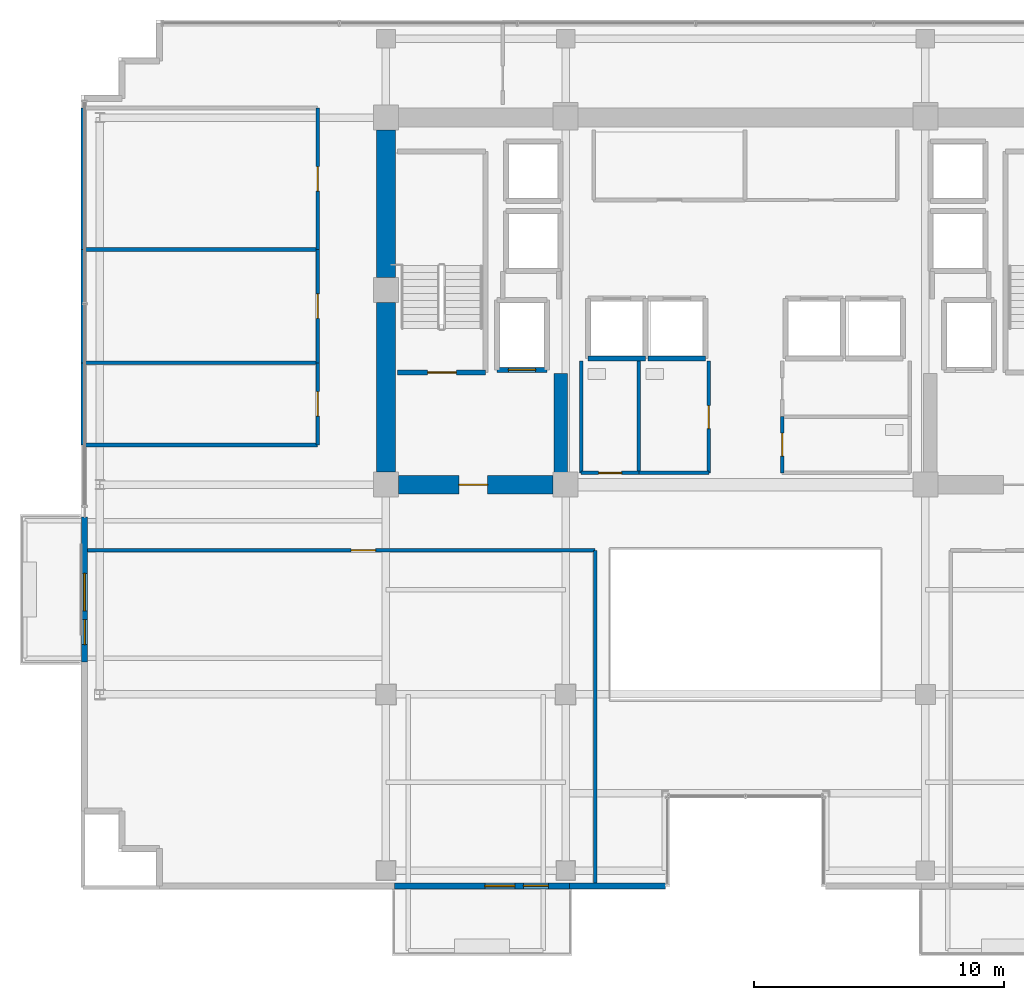
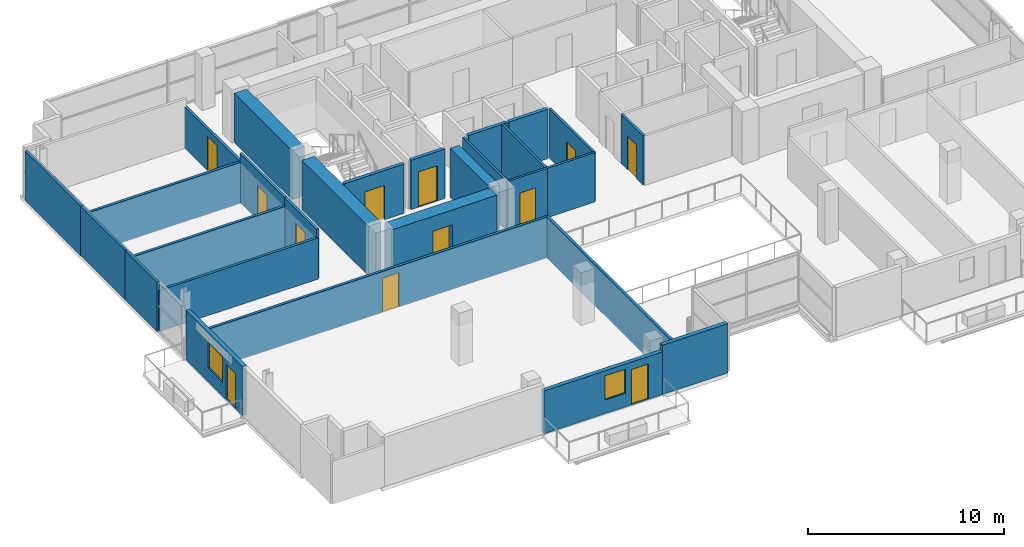
# One storey, part 14 of 21: 28 walls, 12 doors, 2 windows, 14 openings.
"""IFC4 building model written with IfcOpenShell, lengths in metres."""

from ifc_helpers import new_model, si_unit, direction, frame, frame_2d, origin, place, context, subcontext, project, spatial, rectangle, extrude, source, transform, mapped, material, layer, layer_set, type_object, element, fill, save


model = new_model("IFC4")

# Units and contexts
model_context = context("Model", 3, precision=1e-05, world=origin(), true_north=direction((0.0, 1.0)))
body_context = subcontext(model_context, "Body", "Model", "MODEL_VIEW")
ifc_project = project(units=[si_unit("LENGTHUNIT", "METRE"), si_unit("AREAUNIT", "SQUARE_METRE"), si_unit("VOLUMEUNIT", "CUBIC_METRE"), si_unit("PLANEANGLEUNIT", "RADIAN"), si_unit("MASSUNIT", "GRAM", prefix="KILO")], contexts=[model_context])

# Site, building, storey
site_placement = place(None, origin())
site = spatial("IfcSite", under=ifc_project, at=site_placement, CompositionType="ELEMENT")
building_placement = place(site_placement, origin())
building = spatial("IfcBuilding", under=site, at=building_placement, Name="Zarnakvel Exchange Tower", CompositionType="ELEMENT")
storey_placement = place(building_placement, frame((0.0, 0.0, 152.800048828125)))
storey = spatial("IfcBuildingStorey", under=building, at=storey_placement, Name="L42", CompositionType="ELEMENT", Elevation=152.800048828125)

# Walls
ifc_material_1 = material(Name="Concrete C60/75", Category="concrete")
ifc_layer_1 = layer(ifc_material_1, 0.75)
ifc_layer_set_1 = layer_set([ifc_layer_1], Name="Concrete C60/75")
wall_type_1 = type_object("IfcWallType", Name="CW-C3", PredefinedType="SHEAR", material=ifc_layer_set_1)
wall_1_placement = place(storey_placement, frame((-14.39990234375, -0.699951171875, 0.0), z_axis=(0.0, 0.0, 1.0), x_axis=(0.0, 1.0, 0.0)))
element("IfcWall", 1, at=wall_1_placement, inside=storey, type_object=wall_type_1, Name="L42 Rear Core Shear Wall W1 (CW-C3)", PredefinedType="SHEAR", context=body_context, shape_type="SweptSolid", body=[
    extrude(rectangle(XDim=6.800048828125, YDim=0.75, at=frame_2d((3.39990234375, 0.0))), origin(), (0.0, 0.0, 1.0), 3.074951171875),
])
wall_2_placement = place(storey_placement, frame((-14.39990234375, 7.10009765625, 0.0), z_axis=(0.0, 0.0, 1.0), x_axis=(0.0, 1.0, 0.0)))
element("IfcWall", 2, at=wall_2_placement, inside=storey, type_object=wall_type_1, Name="L42 Rear Core Shear Wall W2 (CW-C3)", PredefinedType="SHEAR", context=body_context, shape_type="SweptSolid", body=[
    extrude(rectangle(XDim=5.89990234375, YDim=0.75, at=frame_2d((2.949951171875, 0.0))), origin(), (0.0, 0.0, 1.0), 3.074951171875),
])

# Wall, opening, door
wall_3_placement = place(storey_placement, frame((-7.699951171875, -1.199951171875, 0.0), z_axis=(0.0, 0.0, 1.0), x_axis=(-1.0, 0.0, 0.0)))
wall_3 = element("IfcWall", 3, at=wall_3_placement, inside=storey, type_object=wall_type_1, Name="L42 Rear Core Shear Wall SW (CW-C3)", PredefinedType="SHEAR", context=body_context, shape_type="SweptSolid", body=[
    extrude(rectangle(XDim=6.199951171875, YDim=0.75, at=frame_2d((3.10009765625, 0.0))), origin(), (0.0, 0.0, 1.0), 3.074951171875),
])
opening_1_placement = place(wall_3_placement, frame((2.625, 0.0, 0.0)))
opening_1 = element("IfcOpeningElement", 4, at=opening_1_placement, cuts=wall_3, Name="Opening D-L42-03", PredefinedType="OPENING", context=body_context, shape_type="SweptSolid", body=[
    extrude(rectangle(XDim=1.14990234375, YDim=2.14990234375, at=frame_2d((0.574951171875, 1.074951171875))), frame((0.0, 0.385009765625, 0.0), z_axis=(0.0, -1.0, 0.0), x_axis=(1.0, 0.0, 0.0)), (0.0, 0.0, 1.0), 0.77001953125),
])
ifc_material_2 = material(Name="Painted Galvanised Steel S355", Category="steel")
door_type_1 = type_object("IfcDoorType", Name="DT-04", OperationType="NOTDEFINED", PredefinedType="DOOR", material=ifc_material_2)
shared_shape_1 = source(origin(), body_context, "Body", "SweptSolid", [
    extrude(rectangle(XDim=1.14990234375, YDim=2.14990234375, at=frame_2d((0.574951171875, 1.074951171875))), frame((0.0, 0.02490234375, 0.0), z_axis=(0.0, -1.0, 0.0), x_axis=(1.0, 0.0, 0.0)), (0.0, 0.0, 1.0), 0.050048828125),
])
door_1_placement = place(opening_1_placement, origin())
door_1 = element("IfcDoor", 5, at=door_1_placement, inside=storey, type_object=door_type_1, Name="L42 Firefighting Lobby West Door D-L42-03", OperationType="SINGLE_SWING_LEFT", OverallHeight=2.14990234375, OverallWidth=1.14990234375, PredefinedType="DOOR", context=body_context, shape_type="MappedRepresentation", body=[
    mapped(shared_shape_1, transform((0.0, 0.0, 0.0), x_axis=(1.0, 0.0, 0.0), y_axis=(0.0, 1.0, 0.0), z_axis=(0.0, 0.0, 1.0), scale=1.0)),
])
fill(opening_1, door_1)

# Wall
ifc_layer_2 = layer(ifc_material_1, 0.550048828125)
ifc_layer_set_2 = layer_set([ifc_layer_2], Name="Concrete C60/75")
wall_type_2 = type_object("IfcWallType", Name="CW-C4", PredefinedType="SHEAR", material=ifc_layer_set_2)
wall_4_placement = place(storey_placement, frame((-7.39990234375, -0.824951171875, 0.0), z_axis=(0.0, 0.0, 1.0), x_axis=(0.0, 1.0, 0.0)))
element("IfcWall", 6, at=wall_4_placement, inside=storey, type_object=wall_type_2, Name="L42 Rear Core Shear Wall IW (CW-C4)", PredefinedType="SHEAR", context=body_context, shape_type="SweptSolid", body=[
    extrude(rectangle(XDim=4.074951171875, YDim=0.550048828125, at=frame_2d((2.03759765625, 0.0))), origin(), (0.0, 0.0, 1.0), 3.074951171875),
])

# Wall, openings, door, window
ifc_material_3 = material(Name="Precast concrete C40/50", Category="concrete")
ifc_layer_3 = layer(ifc_material_3, 0.239990234375)
ifc_layer_set_3 = layer_set([ifc_layer_3], Name="Precast concrete C40/50")
wall_type_3 = type_object("IfcWallType", Name="EW-02", PredefinedType="SOLIDWALL", material=ifc_layer_set_3)
wall_5_placement = place(storey_placement, frame((-7.050048828125, -17.260009765625, 0.0), z_axis=(0.0, 0.0, 1.0), x_axis=(-1.0, 0.0, 0.0)))
wall_5 = element("IfcWall", 7, at=wall_5_placement, inside=storey, type_object=wall_type_3, Name="L42 Exterior Precast Spandrel Wall EW-BAL-L42-SW (EW-02)", PredefinedType="SOLIDWALL", context=body_context, shape_type="SweptSolid", body=[
    extrude(rectangle(XDim=7.0, YDim=0.239990234375, at=frame_2d((3.5, 0.0))), origin(), (0.0, 0.0, 1.0), 2.6650390625),
])
opening_2_placement = place(wall_5_placement, frame((0.840087890625, 0.0, 0.0)))
opening_2 = element("IfcOpeningElement", 8, at=opening_2_placement, cuts=wall_5, Name="Opening BD-L42-01", PredefinedType="OPENING", context=body_context, shape_type="SweptSolid", body=[
    extrude(rectangle(XDim=1.0, YDim=2.199951171875, at=frame_2d((0.5, 1.10009765625))), frame((0.0, 0.1298828125, 0.0), z_axis=(0.0, -1.0, 0.0), x_axis=(1.0, 0.0, 0.0)), (0.0, 0.0, 1.0), 0.260009765625),
])
opening_3_placement = place(wall_5_placement, frame((2.18994140625, 0.0, 0.85009765625)))
opening_3 = element("IfcOpeningElement", 9, at=opening_3_placement, cuts=wall_5, Name="Opening WN-04", PredefinedType="OPENING", context=body_context, shape_type="SweptSolid", body=[
    extrude(rectangle(XDim=1.199951171875, YDim=1.5, at=frame_2d((0.60009765625, 0.75))), frame((0.0, 0.1298828125, 0.0), z_axis=(0.0, -1.0, 0.0), x_axis=(1.0, 0.0, 0.0)), (0.0, 0.0, 1.0), 0.260009765625),
])
ifc_material_4 = material(Name="Architectural Bronze Anodised Aluminium", Category="aluminium")
door_type_2 = type_object("IfcDoorType", Name="DT-09", OperationType="NOTDEFINED", PredefinedType="DOOR", material=ifc_material_4)
shared_shape_2 = source(origin(), body_context, "Body", "SweptSolid", [
    extrude(rectangle(XDim=1.0, YDim=2.199951171875, at=frame_2d((0.5, 1.10009765625))), frame((0.0, 0.02490234375, 0.0), z_axis=(0.0, -1.0, 0.0), x_axis=(1.0, 0.0, 0.0)), (0.0, 0.0, 1.0), 0.050048828125),
])
door_2_placement = place(opening_2_placement, origin())
door_2 = element("IfcDoor", 10, at=door_2_placement, inside=storey, type_object=door_type_2, Name="L42 Planted Loggia Balcony Door BD-L42-01", OperationType="SINGLE_SWING_RIGHT", OverallHeight=2.199951171875, OverallWidth=1.0, PredefinedType="DOOR", context=body_context, shape_type="MappedRepresentation", body=[
    mapped(shared_shape_2, transform((0.0, 0.0, 0.0), x_axis=(1.0, 0.0, 0.0), y_axis=(0.0, 1.0, 0.0), z_axis=(0.0, 0.0, 1.0), scale=1.0)),
])
fill(opening_2, door_2)
ifc_material_5 = material(Name="Double Low-E Laminated Vision Glass", Category="glass")
window_type_1 = type_object("IfcWindowType", Name="WN-04", PartitioningType="SINGLE_PANEL", PredefinedType="WINDOW", material=ifc_material_5)
shared_shape_3 = source(origin(), body_context, "Body", "SweptSolid", [
    extrude(rectangle(XDim=1.199951171875, YDim=1.5, at=frame_2d((0.60009765625, 0.75))), frame((0.0, 0.030029296875, 0.0), z_axis=(0.0, -1.0, 0.0), x_axis=(1.0, 0.0, 0.0)), (0.0, 0.0, 1.0), 0.06005859375),
])
window_1_placement = place(opening_3_placement, origin())
window_1 = element("IfcWindow", 11, at=window_1_placement, inside=storey, type_object=window_type_1, Name="L42 Loggia Daylight Window (WN-04)", OverallHeight=1.5, OverallWidth=1.199951171875, PartitioningType="SINGLE_PANEL", PredefinedType="WINDOW", context=body_context, shape_type="MappedRepresentation", body=[
    mapped(shared_shape_3, transform((0.0, 0.0, 0.0), x_axis=(1.0, 0.0, 0.0), y_axis=(0.0, 1.0, 0.0), z_axis=(0.0, 0.0, 1.0), scale=1.0)),
])
fill(opening_3, window_1)

wall_6_placement = place(storey_placement, frame((-26.4599609375, -8.300048828125, 0.0), z_axis=(0.0, 0.0, 1.0), x_axis=(0.0, 1.0, 0.0)))
wall_6 = element("IfcWall", 12, at=wall_6_placement, inside=storey, type_object=wall_type_3, Name="L42 Exterior Precast Spandrel Wall EW-BAL-L42-W (EW-02)", PredefinedType="SOLIDWALL", context=body_context, shape_type="SweptSolid", body=[
    extrude(rectangle(XDim=5.800048828125, YDim=0.239990234375, at=frame_2d((2.89990234375, 0.0))), origin(), (0.0, 0.0, 1.0), 3.074951171875),
])
opening_4_placement = place(wall_6_placement, frame((0.696044921875, 0.0, 0.0)))
opening_4 = element("IfcOpeningElement", 13, at=opening_4_placement, cuts=wall_6, Name="Opening BD-L42-03", PredefinedType="OPENING", context=body_context, shape_type="SweptSolid", body=[
    extrude(rectangle(XDim=1.0, YDim=2.199951171875, at=frame_2d((0.5, 1.10009765625))), frame((0.0, 0.1298828125, 0.0), z_axis=(0.0, -1.0, 0.0), x_axis=(1.0, 0.0, 0.0)), (0.0, 0.0, 1.0), 0.260009765625),
])
opening_5_placement = place(wall_6_placement, frame((2.0458984375, 0.0, 0.85009765625)))
opening_5 = element("IfcOpeningElement", 14, at=opening_5_placement, cuts=wall_6, Name="Opening WN-03", PredefinedType="OPENING", context=body_context, shape_type="SweptSolid", body=[
    extrude(rectangle(XDim=1.5, YDim=1.60009765625, at=frame_2d((0.75, 0.800048828125))), frame((0.0, 0.1298828125, 0.0), z_axis=(0.0, -1.0, 0.0), x_axis=(1.0, 0.0, 0.0)), (0.0, 0.0, 1.0), 0.260009765625),
])
door_3_placement = place(opening_4_placement, origin())
door_3 = element("IfcDoor", 15, at=door_3_placement, inside=storey, type_object=door_type_2, Name="L42 Planted Loggia Balcony Door BD-L42-03", OperationType="SINGLE_SWING_RIGHT", OverallHeight=2.199951171875, OverallWidth=1.0, PredefinedType="DOOR", context=body_context, shape_type="MappedRepresentation", body=[
    mapped(shared_shape_2, transform((0.0, 0.0, 0.0), x_axis=(1.0, 0.0, 0.0), y_axis=(0.0, 1.0, 0.0), z_axis=(0.0, 0.0, 1.0), scale=1.0)),
])
fill(opening_4, door_3)
window_type_2 = type_object("IfcWindowType", Name="WN-03", PartitioningType="SINGLE_PANEL", PredefinedType="WINDOW", material=ifc_material_5)
shared_shape_4 = source(origin(), body_context, "Body", "SweptSolid", [
    extrude(rectangle(XDim=1.5, YDim=1.60009765625, at=frame_2d((0.75, 0.800048828125))), frame((0.0, 0.030029296875, 0.0), z_axis=(0.0, -1.0, 0.0), x_axis=(1.0, 0.0, 0.0)), (0.0, 0.0, 1.0), 0.06005859375),
])
window_2_placement = place(opening_5_placement, origin())
window_2 = element("IfcWindow", 16, at=window_2_placement, inside=storey, type_object=window_type_2, Name="L42 Loggia Daylight Window (WN-03)", OverallHeight=1.60009765625, OverallWidth=1.5, PartitioningType="SINGLE_PANEL", PredefinedType="WINDOW", context=body_context, shape_type="MappedRepresentation", body=[
    mapped(shared_shape_4, transform((0.0, 0.0, 0.0), x_axis=(1.0, 0.0, 0.0), y_axis=(0.0, 1.0, 0.0), z_axis=(0.0, 0.0, 1.0), scale=1.0)),
])
fill(opening_5, window_2)

# Wall
wall_7_placement = place(storey_placement, frame((-7.050048828125, -17.260009765625, 0.0), z_axis=(0.0, 0.0, 1.0), x_axis=(1.0, 0.0, 0.0)))
element("IfcWall", 17, at=wall_7_placement, inside=storey, type_object=wall_type_3, Name="L42 Exterior Precast Spandrel Wall EWC-L42-21 (EW-02)", PredefinedType="SOLIDWALL", context=body_context, shape_type="SweptSolid", body=[
    extrude(rectangle(XDim=3.85009765625, YDim=0.239990234375, at=frame_2d((1.925048828125, 0.0))), origin(), (0.0, 0.0, 1.0), 3.074951171875),
])

# Wall, opening, door
ifc_material_6 = material(Name="Fire-Rated Gypsum Stud Partition", Category="gypsum")
ifc_layer_4 = layer(ifc_material_6, 0.14990234375)
ifc_layer_set_4 = layer_set([ifc_layer_4], Name="Fire-Rated Gypsum Stud Partition")
wall_type_4 = type_object("IfcWallType", Name="PT-01", PredefinedType="PARTITIONING", material=ifc_layer_set_4)
wall_8_placement = place(storey_placement, frame((-26.530029296875, -3.830078125, 0.0), z_axis=(0.0, 0.0, 1.0), x_axis=(1.0, 0.0, 0.0)))
wall_8 = element("IfcWall", 18, at=wall_8_placement, inside=storey, type_object=wall_type_4, Name="L42 Partition Wall PWALL-L42-028 (PT-01)", PredefinedType="PARTITIONING", context=body_context, shape_type="SweptSolid", body=[
    extrude(rectangle(XDim=20.510009765625, YDim=0.14990234375, at=frame_2d((10.2548828125, 0.0))), origin(), (0.0, 0.0, 1.0), 2.56494140625),
])
opening_6_placement = place(wall_8_placement, frame((10.739990234375, 0.0, 0.0)))
opening_6 = element("IfcOpeningElement", 19, at=opening_6_placement, cuts=wall_8, Name="Opening D-L42-11", PredefinedType="OPENING", context=body_context, shape_type="SweptSolid", body=[
    extrude(rectangle(XDim=0.97998046875, YDim=2.14990234375, at=frame_2d((0.489990234375, 1.074951171875))), frame((0.0, 0.0849609375, 0.0), z_axis=(0.0, -1.0, 0.0), x_axis=(1.0, 0.0, 0.0)), (0.0, 0.0, 1.0), 0.169921875),
])
ifc_material_7 = material(Name="Timber Acoustic Veneer", Category="wood")
door_type_3 = type_object("IfcDoorType", Name="DT-05", OperationType="NOTDEFINED", PredefinedType="DOOR", material=ifc_material_7)
shared_shape_5 = source(origin(), body_context, "Body", "SweptSolid", [
    extrude(rectangle(XDim=0.97998046875, YDim=2.14990234375, at=frame_2d((0.489990234375, 1.074951171875))), frame((0.0, 0.02490234375, 0.0), z_axis=(0.0, -1.0, 0.0), x_axis=(1.0, 0.0, 0.0)), (0.0, 0.0, 1.0), 0.050048828125),
])
door_4_placement = place(opening_6_placement, origin())
door_4 = element("IfcDoor", 20, at=door_4_placement, inside=storey, type_object=door_type_3, Name="L42 Institutional Dealing Room Door D-L42-11", OperationType="SINGLE_SWING_LEFT", OverallHeight=2.14990234375, OverallWidth=0.97998046875, PredefinedType="DOOR", context=body_context, shape_type="MappedRepresentation", body=[
    mapped(shared_shape_5, transform((0.0, 0.0, 0.0), x_axis=(1.0, 0.0, 0.0), y_axis=(0.0, 1.0, 0.0), z_axis=(0.0, 0.0, 1.0), scale=1.0)),
])
fill(opening_6, door_4)

# Walls
wall_9_placement = place(storey_placement, frame((-6.02001953125, -3.830078125, 0.0), z_axis=(0.0, 0.0, 1.0), x_axis=(0.0, -1.0, 0.0)))
element("IfcWall", 21, at=wall_9_placement, inside=storey, type_object=wall_type_4, Name="L42 Partition Wall PWALL-L42-030 (PT-01)", PredefinedType="PARTITIONING", context=body_context, shape_type="SweptSolid", body=[
    extrude(rectangle(XDim=13.5, YDim=0.14990234375, at=frame_2d((6.75, 0.0))), origin(), (0.0, 0.0, 1.0), 2.56494140625),
])
for number, where, z_axis, x_axis, name in (
    (22, (-17.1298828125, 0.391357421875, 0.0), (0.0, 0.0, 1.0), (-1.0, 0.0, 0.0), "L42 Partition Wall PWALL-L42-041 (PT-01)"),
    (23, (-26.530029296875, 3.678466796875, 0.0), (0.0, 0.0, 1.0), (1.0, 0.0, 0.0), "L42 Partition Wall PWALL-L42-042 (PT-01)"),
):
    element("IfcWall", number, at=place(storey_placement, frame(where, z_axis=z_axis, x_axis=x_axis)), inside=storey, type_object=wall_type_4, Name=name, PredefinedType="PARTITIONING", context=body_context, shape_type="SweptSolid", body=[
        extrude(rectangle(XDim=9.400146484375, YDim=0.14990234375, at=frame_2d((4.7001953125, 0.0))), origin(), (0.0, 0.0, 1.0), 2.56494140625),
    ])
wall_10_placement = place(storey_placement, frame((-26.530029296875, 0.391357421875, 0.0), z_axis=(0.0, 0.0, 1.0), x_axis=(0.0, 1.0, 0.0)))
element("IfcWall", 24, at=wall_10_placement, inside=storey, type_object=wall_type_4, Name="L42 Partition Wall PWALL-L42-043 (PT-01)", PredefinedType="PARTITIONING", context=body_context, shape_type="SweptSolid", body=[
    extrude(rectangle(XDim=3.287109375, YDim=0.14990234375, at=frame_2d((1.6435546875, 0.0))), origin(), (0.0, 0.0, 1.0), 3.074951171875),
])

# Wall, opening, door
wall_11_placement = place(storey_placement, frame((-17.1298828125, 3.678466796875, 0.0), z_axis=(0.0, 0.0, 1.0), x_axis=(0.0, -1.0, 0.0)))
wall_11 = element("IfcWall", 25, at=wall_11_placement, inside=storey, type_object=wall_type_4, Name="L42 Partition Wall PWALL-L42-044 (PT-01)", PredefinedType="PARTITIONING", context=body_context, shape_type="SweptSolid", body=[
    extrude(rectangle(XDim=3.287109375, YDim=0.14990234375, at=frame_2d((1.6435546875, 0.0))), origin(), (0.0, 0.0, 1.0), 3.074951171875),
])
opening_7_placement = place(wall_11_placement, frame((1.1533203125, 0.0, 0.0)))
opening_7 = element("IfcOpeningElement", 26, at=opening_7_placement, cuts=wall_11, Name="Opening D-L42-15", PredefinedType="OPENING", context=body_context, shape_type="SweptSolid", body=[
    extrude(rectangle(XDim=0.97998046875, YDim=2.14990234375, at=frame_2d((0.489990234375, 1.074951171875))), frame((0.0, 0.0849609375, 0.0), z_axis=(0.0, -1.0, 0.0), x_axis=(1.0, 0.0, 0.0)), (0.0, 0.0, 1.0), 0.169921875),
])
door_5_placement = place(opening_7_placement, origin())
door_5 = element("IfcDoor", 27, at=door_5_placement, inside=storey, type_object=door_type_3, Name="L42 Breakout Pantry Door D-L42-15", OperationType="SINGLE_SWING_LEFT", OverallHeight=2.14990234375, OverallWidth=0.97998046875, PredefinedType="DOOR", context=body_context, shape_type="MappedRepresentation", body=[
    mapped(shared_shape_5, transform((0.0, 0.0, 0.0), x_axis=(1.0, 0.0, 0.0), y_axis=(0.0, 1.0, 0.0), z_axis=(0.0, 0.0, 1.0), scale=1.0)),
])
fill(opening_7, door_5)

# Walls
wall_12_placement = place(storey_placement, frame((-26.530029296875, 8.21630859375, 0.0), z_axis=(0.0, 0.0, 1.0), x_axis=(1.0, 0.0, 0.0)))
element("IfcWall", 28, at=wall_12_placement, inside=storey, type_object=wall_type_4, Name="L42 Partition Wall PWALL-L42-045 (PT-01)", PredefinedType="PARTITIONING", context=body_context, shape_type="SweptSolid", body=[
    extrude(rectangle(XDim=9.400146484375, YDim=0.14990234375, at=frame_2d((4.7001953125, 0.0))), origin(), (0.0, 0.0, 1.0), 2.56494140625),
])
wall_13_placement = place(storey_placement, frame((-26.530029296875, 3.678466796875, 0.0), z_axis=(0.0, 0.0, 1.0), x_axis=(0.0, 1.0, 0.0)))
element("IfcWall", 29, at=wall_13_placement, inside=storey, type_object=wall_type_4, Name="L42 Partition Wall PWALL-L42-046 (PT-01)", PredefinedType="PARTITIONING", context=body_context, shape_type="SweptSolid", body=[
    extrude(rectangle(XDim=4.537841796875, YDim=0.14990234375, at=frame_2d((2.26904296875, 0.0))), origin(), (0.0, 0.0, 1.0), 3.074951171875),
])

# Wall, opening, door
wall_14_placement = place(storey_placement, frame((-17.1298828125, 8.21630859375, 0.0), z_axis=(0.0, 0.0, 1.0), x_axis=(0.0, -1.0, 0.0)))
wall_14 = element("IfcWall", 30, at=wall_14_placement, inside=storey, type_object=wall_type_4, Name="L42 Partition Wall PWALL-L42-047 (PT-01)", PredefinedType="PARTITIONING", context=body_context, shape_type="SweptSolid", body=[
    extrude(rectangle(XDim=4.537841796875, YDim=0.14990234375, at=frame_2d((2.26904296875, 0.0))), origin(), (0.0, 0.0, 1.0), 3.074951171875),
])
opening_8_placement = place(wall_14_placement, frame((1.779296875, 0.0, 0.0)))
opening_8 = element("IfcOpeningElement", 31, at=opening_8_placement, cuts=wall_14, Name="Opening D-L42-16", PredefinedType="OPENING", context=body_context, shape_type="SweptSolid", body=[
    extrude(rectangle(XDim=0.97998046875, YDim=2.14990234375, at=frame_2d((0.489990234375, 1.074951171875))), frame((0.0, 0.0849609375, 0.0), z_axis=(0.0, -1.0, 0.0), x_axis=(1.0, 0.0, 0.0)), (0.0, 0.0, 1.0), 0.169921875),
])
door_6_placement = place(opening_8_placement, origin())
door_6 = element("IfcDoor", 32, at=door_6_placement, inside=storey, type_object=door_type_3, Name="L42 Settlement Office Door D-L42-16", OperationType="SINGLE_SWING_RIGHT", OverallHeight=2.14990234375, OverallWidth=0.97998046875, PredefinedType="DOOR", context=body_context, shape_type="MappedRepresentation", body=[
    mapped(shared_shape_5, transform((0.0, 0.0, 0.0), x_axis=(1.0, 0.0, 0.0), y_axis=(0.0, 1.0, 0.0), z_axis=(0.0, 0.0, 1.0), scale=1.0)),
])
fill(opening_8, door_6)

# Wall
wall_15_placement = place(storey_placement, frame((-26.530029296875, 8.21630859375, 0.0), z_axis=(0.0, 0.0, 1.0), x_axis=(0.0, 1.0, 0.0)))
element("IfcWall", 33, at=wall_15_placement, inside=storey, type_object=wall_type_4, Name="L42 Partition Wall PWALL-L42-049 (PT-01)", PredefinedType="PARTITIONING", context=body_context, shape_type="SweptSolid", body=[
    extrude(rectangle(XDim=5.66357421875, YDim=0.14990234375, at=frame_2d((2.831787109375, 0.0))), origin(), (0.0, 0.0, 1.0), 3.074951171875),
])

# Wall, opening, door
wall_16_placement = place(storey_placement, frame((-17.1298828125, 13.8798828125, 0.0), z_axis=(0.0, 0.0, 1.0), x_axis=(0.0, -1.0, 0.0)))
wall_16 = element("IfcWall", 34, at=wall_16_placement, inside=storey, type_object=wall_type_4, Name="L42 Partition Wall PWALL-L42-050 (PT-01)", PredefinedType="PARTITIONING", context=body_context, shape_type="SweptSolid", body=[
    extrude(rectangle(XDim=5.66357421875, YDim=0.14990234375, at=frame_2d((2.831787109375, 0.0))), origin(), (0.0, 0.0, 1.0), 2.56494140625),
])
opening_9_placement = place(wall_16_placement, frame((2.342041015625, 0.0, 0.0)))
opening_9 = element("IfcOpeningElement", 35, at=opening_9_placement, cuts=wall_16, Name="Opening D-L42-17", PredefinedType="OPENING", context=body_context, shape_type="SweptSolid", body=[
    extrude(rectangle(XDim=0.97998046875, YDim=2.14990234375, at=frame_2d((0.489990234375, 1.074951171875))), frame((0.0, 0.0849609375, 0.0), z_axis=(0.0, -1.0, 0.0), x_axis=(1.0, 0.0, 0.0)), (0.0, 0.0, 1.0), 0.169921875),
])
door_7_placement = place(opening_9_placement, origin())
door_7 = element("IfcDoor", 36, at=door_7_placement, inside=storey, type_object=door_type_3, Name="L42 Reception Lounge Door D-L42-17", OperationType="SINGLE_SWING_LEFT", OverallHeight=2.14990234375, OverallWidth=0.97998046875, PredefinedType="DOOR", context=body_context, shape_type="MappedRepresentation", body=[
    mapped(shared_shape_5, transform((0.0, 0.0, 0.0), x_axis=(1.0, 0.0, 0.0), y_axis=(0.0, 1.0, 0.0), z_axis=(0.0, 0.0, 1.0), scale=1.0)),
])
fill(opening_9, door_7)

ifc_material_8 = material(Name="Moisture-Resistant Tile-Faced Partition", Category="gypsum")
ifc_layer_5 = layer(ifc_material_8, 0.135009765625)
ifc_layer_set_5 = layer_set([ifc_layer_5], Name="Moisture-Resistant Tile-Faced Partition")
wall_type_5 = type_object("IfcWallType", Name="PT-03", PredefinedType="PARTITIONING", material=ifc_layer_set_5)
wall_17_placement = place(storey_placement, frame((-4.27001953125, -0.72998046875, 0.0), z_axis=(0.0, 0.0, 1.0), x_axis=(-1.0, 0.0, 0.0)))
wall_17 = element("IfcWall", 37, at=wall_17_placement, inside=storey, type_object=wall_type_5, Name="L42 Partition Wall PWALL-L42-016 (PT-03)", PredefinedType="PARTITIONING", context=body_context, shape_type="SweptSolid", body=[
    extrude(rectangle(XDim=2.31005859375, YDim=0.135009765625, at=frame_2d((1.155029296875, 0.0))), origin(), (0.0, 0.0, 1.0), 3.074951171875),
])
opening_10_placement = place(wall_17_placement, frame((0.68994140625, 0.0, 0.0)))
opening_10 = element("IfcOpeningElement", 38, at=opening_10_placement, cuts=wall_17, Name="Opening D-L42-07", PredefinedType="OPENING", context=body_context, shape_type="SweptSolid", body=[
    extrude(rectangle(XDim=0.919921875, YDim=2.10009765625, at=frame_2d((0.4599609375, 1.050048828125))), frame((0.0, 0.077392578125, 0.0), z_axis=(0.0, -1.0, 0.0), x_axis=(1.0, 0.0, 0.0)), (0.0, 0.0, 1.0), 0.155029296875),
])
ifc_material_9 = material(Name="Moisture-Resistant Laminate Timber", Category="wood")
door_type_4 = type_object("IfcDoorType", Name="DT-07", OperationType="NOTDEFINED", PredefinedType="DOOR", material=ifc_material_9)
shared_shape_6 = source(origin(), body_context, "Body", "SweptSolid", [
    extrude(rectangle(XDim=0.919921875, YDim=2.10009765625, at=frame_2d((0.4599609375, 1.050048828125))), frame((0.0, 0.02490234375, 0.0), z_axis=(0.0, -1.0, 0.0), x_axis=(1.0, 0.0, 0.0)), (0.0, 0.0, 1.0), 0.050048828125),
])
door_8_placement = place(opening_10_placement, origin())
door_8 = element("IfcDoor", 39, at=door_8_placement, inside=storey, type_object=door_type_4, Name="L42 Female Toilet Door D-L42-07", OperationType="SINGLE_SWING_LEFT", OverallHeight=2.10009765625, OverallWidth=0.919921875, PredefinedType="DOOR", context=body_context, shape_type="MappedRepresentation", body=[
    mapped(shared_shape_6, transform((0.0, 0.0, 0.0), x_axis=(1.0, 0.0, 0.0), y_axis=(0.0, 1.0, 0.0), z_axis=(0.0, 0.0, 1.0), scale=1.0)),
])
fill(opening_10, door_8)

# Walls
for number, where, z_axis, x_axis, name in (
    (40, (-6.580078125, -0.72998046875, 0.0), (0.0, 0.0, 1.0), (0.0, 1.0, 0.0), "L42 Partition Wall PWALL-L42-017 (PT-03)"),
    (41, (-4.27001953125, 3.760009765625, 0.0), (0.0, 0.0, 1.0), (0.0, -1.0, 0.0), "L42 Partition Wall PWALL-L42-018 (PT-03)"),
):
    element("IfcWall", number, at=place(storey_placement, frame(where, z_axis=z_axis, x_axis=x_axis)), inside=storey, type_object=wall_type_5, Name=name, PredefinedType="PARTITIONING", context=body_context, shape_type="SweptSolid", body=[
        extrude(rectangle(XDim=4.489990234375, YDim=0.135009765625, at=frame_2d((2.2451171875, 0.0))), origin(), (0.0, 0.0, 1.0), 3.074951171875),
    ])
wall_18_placement = place(storey_placement, frame((-1.469970703125, -0.72998046875, 0.0), z_axis=(0.0, 0.0, 1.0), x_axis=(-1.0, 0.0, 0.0)))
element("IfcWall", 42, at=wall_18_placement, inside=storey, type_object=wall_type_5, Name="L42 Partition Wall PWALL-L42-019 (PT-03)", PredefinedType="PARTITIONING", context=body_context, shape_type="SweptSolid", body=[
    extrude(rectangle(XDim=2.800048828125, YDim=0.135009765625, at=frame_2d((1.39990234375, 0.0))), origin(), (0.0, 0.0, 1.0), 3.074951171875),
])

# Wall, opening, door
wall_19_placement = place(storey_placement, frame((-1.469970703125, 3.760009765625, 0.0), z_axis=(0.0, 0.0, 1.0), x_axis=(0.0, -1.0, 0.0)))
wall_19 = element("IfcWall", 43, at=wall_19_placement, inside=storey, type_object=wall_type_5, Name="L42 Partition Wall PWALL-L42-020 (PT-03)", PredefinedType="PARTITIONING", context=body_context, shape_type="SweptSolid", body=[
    extrude(rectangle(XDim=4.489990234375, YDim=0.135009765625, at=frame_2d((2.2451171875, 0.0))), origin(), (0.0, 0.0, 1.0), 3.074951171875),
])
opening_11_placement = place(wall_19_placement, frame((1.800048828125, 0.0, 0.0)))
opening_11 = element("IfcOpeningElement", 44, at=opening_11_placement, cuts=wall_19, Name="Opening D-L42-08", PredefinedType="OPENING", context=body_context, shape_type="SweptSolid", body=[
    extrude(rectangle(XDim=0.919921875, YDim=2.10009765625, at=frame_2d((0.4599609375, 1.050048828125))), frame((0.0, 0.077392578125, 0.0), z_axis=(0.0, -1.0, 0.0), x_axis=(1.0, 0.0, 0.0)), (0.0, 0.0, 1.0), 0.155029296875),
])
door_9_placement = place(opening_11_placement, origin())
door_9 = element("IfcDoor", 45, at=door_9_placement, inside=storey, type_object=door_type_4, Name="L42 Male Toilet Door D-L42-08", OperationType="SINGLE_SWING_RIGHT", OverallHeight=2.10009765625, OverallWidth=0.919921875, PredefinedType="DOOR", context=body_context, shape_type="MappedRepresentation", body=[
    mapped(shared_shape_6, transform((0.0, 0.0, 0.0), x_axis=(1.0, 0.0, 0.0), y_axis=(0.0, 1.0, 0.0), z_axis=(0.0, 0.0, 1.0), scale=1.0)),
])
fill(opening_11, door_9)

wall_20_placement = place(storey_placement, frame((1.469970703125, -0.72998046875, 0.0), z_axis=(0.0, 0.0, 1.0), x_axis=(0.0, 1.0, 0.0)))
wall_20 = element("IfcWall", 46, at=wall_20_placement, inside=storey, type_object=wall_type_5, Name="L42 Partition Wall PWALL-L42-023 (PT-03)", PredefinedType="PARTITIONING", context=body_context, shape_type="SweptSolid", body=[
    extrude(rectangle(XDim=2.25, YDim=0.135009765625, at=frame_2d((1.125, 0.0))), origin(), (0.0, 0.0, 1.0), 3.074951171875),
])
opening_12_placement = place(wall_20_placement, frame((0.669921875, 0.0, 0.0)))
opening_12 = element("IfcOpeningElement", 47, at=opening_12_placement, cuts=wall_20, Name="Opening D-L42-09", PredefinedType="OPENING", context=body_context, shape_type="SweptSolid", body=[
    extrude(rectangle(XDim=0.919921875, YDim=2.10009765625, at=frame_2d((0.4599609375, 1.050048828125))), frame((0.0, 0.077392578125, 0.0), z_axis=(0.0, -1.0, 0.0), x_axis=(1.0, 0.0, 0.0)), (0.0, 0.0, 1.0), 0.155029296875),
])
door_10_placement = place(opening_12_placement, origin())
door_10 = element("IfcDoor", 48, at=door_10_placement, inside=storey, type_object=door_type_4, Name="L42 Accessible Toilet Door D-L42-09", OperationType="SINGLE_SWING_LEFT", OverallHeight=2.10009765625, OverallWidth=0.919921875, PredefinedType="DOOR", context=body_context, shape_type="MappedRepresentation", body=[
    mapped(shared_shape_6, transform((0.0, 0.0, 0.0), x_axis=(1.0, 0.0, 0.0), y_axis=(0.0, 1.0, 0.0), z_axis=(0.0, 0.0, 1.0), scale=1.0)),
])
fill(opening_12, door_10)

ifc_material_10 = material(Name="Concrete C40/50", Category="concrete")
ifc_layer_6 = layer(ifc_material_10, 0.199951171875)
ifc_layer_set_6 = layer_set([ifc_layer_6], Name="Concrete C40/50")
wall_type_6 = type_object("IfcWallType", Name="SW-01", PredefinedType="SOLIDWALL", material=ifc_layer_set_6)
wall_21_placement = place(storey_placement, frame((-7.949951171875, 3.39990234375, 0.0), z_axis=(0.0, 0.0, 1.0), x_axis=(-1.0, 0.0, 0.0)))
wall_21 = element("IfcWall", 49, at=wall_21_placement, inside=storey, type_object=wall_type_6, Name="L42 FL-01 Hoistway Wall South", PredefinedType="SOLIDWALL", context=body_context, shape_type="SweptSolid", body=[
    extrude(rectangle(XDim=2.0, YDim=0.199951171875, at=frame_2d((1.0, 0.0))), origin(), (0.0, 0.0, 1.0), 3.074951171875),
])
opening_13_placement = place(wall_21_placement, frame((0.449951171875, 0.0, 0.0)))
opening_13 = element("IfcOpeningElement", 50, at=opening_13_placement, cuts=wall_21, Name="Opening LD-FL-01-L42", PredefinedType="OPENING", context=body_context, shape_type="SweptSolid", body=[
    extrude(rectangle(XDim=1.10009765625, YDim=2.199951171875, at=frame_2d((0.550048828125, 1.10009765625))), frame((0.0, 0.10986328125, 0.0), z_axis=(0.0, -1.0, 0.0), x_axis=(1.0, 0.0, 0.0)), (0.0, 0.0, 1.0), 0.219970703125),
])
ifc_material_11 = material(Name="Brushed Stainless Steel", Category="steel")
door_type_5 = type_object("IfcDoorType", Name="LDT-01", OperationType="NOTDEFINED", PredefinedType="DOOR", material=ifc_material_11)
shared_shape_7 = source(origin(), body_context, "Body", "SweptSolid", [
    extrude(rectangle(XDim=1.10009765625, YDim=2.199951171875, at=frame_2d((0.550048828125, 1.10009765625))), frame((0.0, 0.02490234375, 0.0), z_axis=(0.0, -1.0, 0.0), x_axis=(1.0, 0.0, 0.0)), (0.0, 0.0, 1.0), 0.050048828125),
])
door_11_placement = place(opening_13_placement, origin())
door_11 = element("IfcDoor", 51, at=door_11_placement, inside=storey, type_object=door_type_5, Name="L42 FL-01 Lift Landing Door LD-FL-01-L42", OperationType="DOUBLE_DOOR_SLIDING", OverallHeight=2.199951171875, OverallWidth=1.10009765625, PredefinedType="DOOR", context=body_context, shape_type="MappedRepresentation", body=[
    mapped(shared_shape_7, transform((0.0, 0.0, 0.0), x_axis=(1.0, 0.0, 0.0), y_axis=(0.0, 1.0, 0.0), z_axis=(0.0, 0.0, 1.0), scale=1.0)),
])
fill(opening_13, door_11)

# Walls
wall_22_placement = place(storey_placement, frame((-4.0, 3.85009765625, 0.0), z_axis=(0.0, 0.0, 1.0), x_axis=(-1.0, 0.0, 0.0)))
element("IfcWall", 52, at=wall_22_placement, inside=storey, type_object=wall_type_6, Name="L42 PL-05 Hoistway Wall South", PredefinedType="SOLIDWALL", context=body_context, shape_type="SweptSolid", body=[
    extrude(rectangle(XDim=2.300048828125, YDim=0.199951171875, at=frame_2d((1.14990234375, 0.0))), origin(), (0.0, 0.0, 1.0), 3.074951171875),
])
wall_23_placement = place(storey_placement, frame((-1.60009765625, 3.85009765625, 0.0), z_axis=(0.0, 0.0, 1.0), x_axis=(-1.0, 0.0, 0.0)))
element("IfcWall", 53, at=wall_23_placement, inside=storey, type_object=wall_type_6, Name="L42 PL-06 Hoistway Wall South", PredefinedType="SOLIDWALL", context=body_context, shape_type="SweptSolid", body=[
    extrude(rectangle(XDim=2.2998046875, YDim=0.199951171875, at=frame_2d((1.14990234375, 0.0))), origin(), (0.0, 0.0, 1.0), 3.074951171875),
])

# Wall, opening, door
ifc_layer_7 = layer(ifc_material_10, 0.199951171875)
ifc_layer_set_7 = layer_set([ifc_layer_7], Name="Concrete C40/50")
wall_type_7 = type_object("IfcWallType", Name="SW-02", PredefinedType="SOLIDWALL", material=ifc_layer_set_7)
wall_24_placement = place(storey_placement, frame((-10.409912109375, 3.2900390625, 0.0), z_axis=(0.0, 0.0, 1.0), x_axis=(-1.0, 0.0, 0.0)))
wall_24 = element("IfcWall", 54, at=wall_24_placement, inside=storey, type_object=wall_type_7, Name="L42 Stairwell Core Wall PWALL-L42-001 (SW-02)", PredefinedType="SOLIDWALL", context=body_context, shape_type="SweptSolid", body=[
    extrude(rectangle(XDim=3.52001953125, YDim=0.199951171875, at=frame_2d((1.760009765625, 0.0))), origin(), (0.0, 0.0, 1.0), 3.074951171875),
])
opening_14_placement = place(wall_24_placement, frame((1.1650390625, 0.0, 0.0)))
opening_14 = element("IfcOpeningElement", 55, at=opening_14_placement, cuts=wall_24, Name="Opening D-L42-01", PredefinedType="OPENING", context=body_context, shape_type="SweptSolid", body=[
    extrude(rectangle(XDim=1.14990234375, YDim=2.14990234375, at=frame_2d((0.574951171875, 1.074951171875))), frame((0.0, 0.10986328125, 0.0), z_axis=(0.0, -1.0, 0.0), x_axis=(1.0, 0.0, 0.0)), (0.0, 0.0, 1.0), 0.219970703125),
])
door_12_placement = place(opening_14_placement, origin())
door_12 = element("IfcDoor", 56, at=door_12_placement, inside=storey, type_object=door_type_1, Name="L42 Stairwell ST-01 Door D-L42-01", OperationType="SINGLE_SWING_LEFT", OverallHeight=2.14990234375, OverallWidth=1.14990234375, PredefinedType="DOOR", context=body_context, shape_type="MappedRepresentation", body=[
    mapped(shared_shape_1, transform((0.0, 0.0, 0.0), x_axis=(1.0, 0.0, 0.0), y_axis=(0.0, 1.0, 0.0), z_axis=(0.0, 0.0, 1.0), scale=1.0)),
])
fill(opening_14, door_12)

save(model, "model.ifc")
